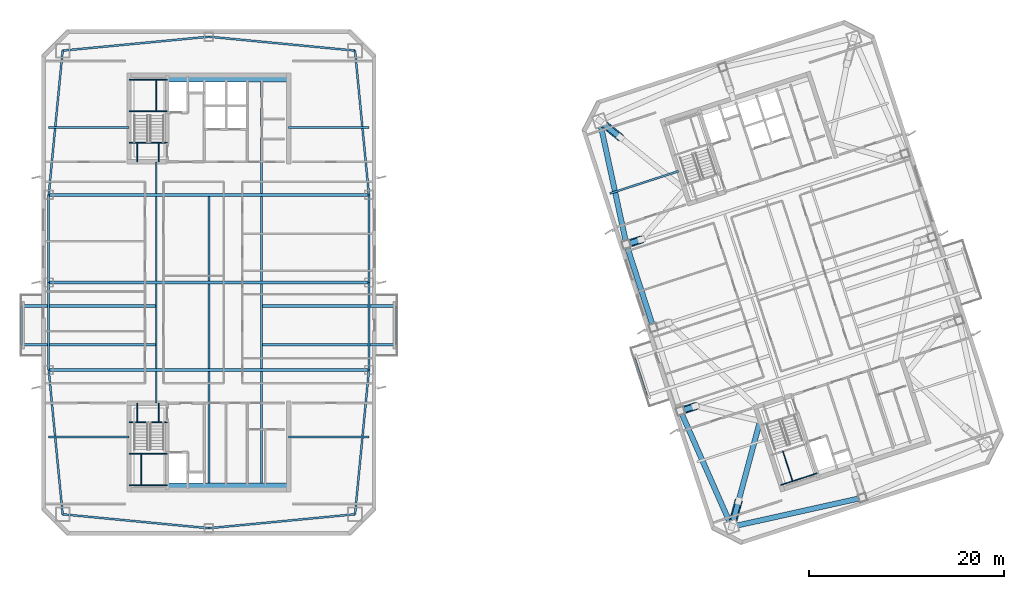
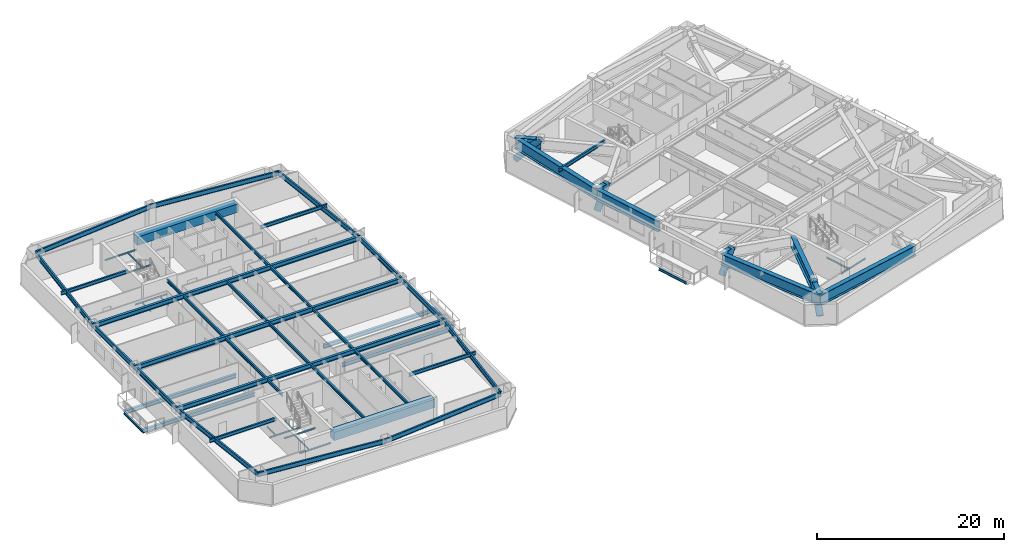
# One storey, part 3 of 18: 63 beams, 4 members.
"""IFC4 building model written with IfcOpenShell, lengths in metres."""

from ifc_helpers import new_model, si_unit, direction, frame, origin, origin_2d, place, context, subcontext, project, spatial, rectangle, hollow_circle, i_section, extrude, material, material_profile, profile_set, type_object, element, save


model = new_model("IFC4")

# Units and contexts
model_context = context("Model", 3, precision=1e-05, world=origin(), true_north=direction((0.0, 1.0)))
body_context = subcontext(model_context, "Body", "Model", "MODEL_VIEW")
ifc_project = project(units=[si_unit("LENGTHUNIT", "METRE"), si_unit("AREAUNIT", "SQUARE_METRE"), si_unit("VOLUMEUNIT", "CUBIC_METRE"), si_unit("PLANEANGLEUNIT", "RADIAN"), si_unit("MASSUNIT", "GRAM", prefix="KILO")], contexts=[model_context])

# Site, building, storey
site_placement = place(None, origin())
site = spatial("IfcSite", under=ifc_project, at=site_placement, CompositionType="ELEMENT")
building_placement = place(site_placement, origin())
building = spatial("IfcBuilding", under=site, at=building_placement, Name="Qiaolan Cultural Towers", CompositionType="ELEMENT")
storey_placement = place(building_placement, frame((0.0, 0.0, 195.5)))
storey = spatial("IfcBuildingStorey", under=building, at=storey_placement, Name="L52", CompositionType="ELEMENT", Elevation=195.5)

# Beams
ifc_material_1 = material(Name="Steel Q420GJB", Category="steel")
ifc_material_profile_1 = material_profile(ifc_material_1, i_section(OverallWidth=0.550048828125, OverallDepth=1.39990234375, WebThickness=0.031982421875, FlangeThickness=0.050048828125, at=origin_2d()), Name="BH1400x550x32x50")
ifc_profile_set_1 = profile_set([ifc_material_profile_1], Name="Steel Q420GJB")
beam_type_1 = type_object("IfcBeamType", Name="BM-BH1400x550x32x50", PredefinedType="BEAM", material=ifc_profile_set_1)
beam_1_placement = place(storey_placement, frame((83.71875, 8.900634765625, 2.530029296875), z_axis=(0.259697845523, 0.965689923853, 0.0), x_axis=(-0.965689923853, 0.259697845523, 0.0)))
element("IfcBeam", 1, at=beam_1_placement, inside=storey, type_object=beam_type_1, Name="L52 T2 Setback Transfer Girder MC-SW-A", PredefinedType="BEAM", context=body_context, shape_type="SweptSolid", body=[
    extrude(i_section(OverallWidth=0.550048828125, OverallDepth=1.39990234375, WebThickness=0.031982421875, FlangeThickness=0.050048828125, at=origin_2d()), origin(), (0.0, 0.0, 1.0), 2.73193359375),
])
beam_2_placement = place(storey_placement, frame((84.42822265625, 11.538818359375, 2.530029296875), z_axis=(0.259129218426, 0.965842662217, 0.0), x_axis=(-0.965842662217, 0.259129218426, 0.0)))
element("IfcBeam", 2, at=beam_2_placement, inside=storey, type_object=beam_type_1, Name="L52 T2 Setback Transfer Girder MC-SW-B", PredefinedType="BEAM", context=body_context, shape_type="SweptSolid", body=[
    extrude(i_section(OverallWidth=0.550048828125, OverallDepth=1.39990234375, WebThickness=0.031982421875, FlangeThickness=0.050048828125, at=origin_2d()), origin(), (0.0, 0.0, 1.0), 8.51513671875),
])
beam_3_placement = place(storey_placement, frame((70.165283203125, 50.61376953125, 2.530029296875), z_axis=(0.777737849615, -0.628588766425, 0.0), x_axis=(0.628588766425, 0.777737849615, 0.0)))
element("IfcBeam", 3, at=beam_3_placement, inside=storey, type_object=beam_type_1, Name="L52 T2 Setback Transfer Girder MC-NW-A", PredefinedType="BEAM", context=body_context, shape_type="SweptSolid", body=[
    extrude(i_section(OverallWidth=0.550048828125, OverallDepth=1.39990234375, WebThickness=0.031982421875, FlangeThickness=0.050048828125, at=origin_2d()), origin(), (0.0, 0.0, 1.0), 2.73193359375),
])
for number, where, z_axis, x_axis, name in (
    (4, (78.4677734375, 20.789794921875, 2.530029296875), (0.951066581729, 0.308986014439, 0.0), (-0.308986014439, 0.951066581729, 0.0), "L52 T2 Setback Transfer Girder PC-W1-A"),
    (5, (72.905517578125, 37.90869140625, 2.530029296875), (0.951021734043, 0.309124022649, 0.0), (-0.309124022649, 0.951021734043, 0.0), "L52 T2 Setback Transfer Girder PC-W3-A"),
):
    element("IfcBeam", number, at=place(storey_placement, frame(where, z_axis=z_axis, x_axis=x_axis)), inside=storey, type_object=beam_type_1, Name=name, PredefinedType="BEAM", context=body_context, shape_type="SweptSolid", body=[
        extrude(i_section(OverallWidth=0.550048828125, OverallDepth=1.39990234375, WebThickness=0.031982421875, FlangeThickness=0.050048828125, at=origin_2d()), origin(), (0.0, 0.0, 1.0), 1.60009765625),
    ])
beam_4_placement = place(storey_placement, frame((83.71875, 8.900634765625, 2.489990234375), z_axis=(0.976265293399, 0.216578108094, 0.0), x_axis=(-0.216578108094, 0.976265293399, 0.0)))
element("IfcBeam", 6, at=beam_4_placement, inside=storey, type_object=beam_type_1, Name="L52 T2 Perimeter Spandrel Beam 1", PredefinedType="BEAM", context=body_context, shape_type="SweptSolid", body=[
    extrude(i_section(OverallWidth=0.550048828125, OverallDepth=1.39990234375, WebThickness=0.031982421875, FlangeThickness=0.050048828125, at=origin_2d()), origin(), (0.0, 0.0, 1.0), 13.793212890625),
])
beam_5_placement = place(storey_placement, frame((70.165283203125, 50.61376953125, 2.489990234375), z_axis=(0.210832241173, -0.977522258612, 0.0), x_axis=(0.977522258612, 0.210832241173, 0.0)))
element("IfcBeam", 7, at=beam_5_placement, inside=storey, type_object=beam_type_1, Name="L52 T2 Perimeter Spandrel Beam 9", PredefinedType="BEAM", context=body_context, shape_type="SweptSolid", body=[
    extrude(i_section(OverallWidth=0.550048828125, OverallDepth=1.39990234375, WebThickness=0.031982421875, FlangeThickness=0.050048828125, at=origin_2d()), origin(), (0.0, 0.0, 1.0), 12.997314453125),
])
beam_6_placement = place(storey_placement, frame((72.905517578125, 37.90869140625, 2.489990234375), z_axis=(0.309008170129, -0.951059383421, 0.0), x_axis=(0.951059383421, 0.309008170129, 0.0)))
element("IfcBeam", 8, at=beam_6_placement, inside=storey, type_object=beam_type_1, Name="L52 T2 Perimeter Spandrel Beam 10", PredefinedType="BEAM", context=body_context, shape_type="SweptSolid", body=[
    extrude(i_section(OverallWidth=0.550048828125, OverallDepth=1.39990234375, WebThickness=0.031982421875, FlangeThickness=0.050048828125, at=origin_2d()), origin(), (0.0, 0.0, 1.0), 8.999755859375),
])
beam_7_placement = place(storey_placement, frame((78.4677734375, 20.789794921875, 2.489990234375), z_axis=(0.404011070002, -0.914754095545, 0.0), x_axis=(0.914754095545, 0.404011070002, 0.0)))
element("IfcBeam", 9, at=beam_7_placement, inside=storey, type_object=beam_type_1, Name="L52 T2 Perimeter Spandrel Beam 12", PredefinedType="BEAM", context=body_context, shape_type="SweptSolid", body=[
    extrude(i_section(OverallWidth=0.550048828125, OverallDepth=1.39990234375, WebThickness=0.031982421875, FlangeThickness=0.050048828125, at=origin_2d()), origin(), (0.0, 0.0, 1.0), 12.9970703125),
])
ifc_material_2 = material(Name="Steel Q355B", Category="steel")
ifc_material_profile_2 = material_profile(ifc_material_2, i_section(OverallWidth=0.300048828125, OverallDepth=0.488037109375, WebThickness=0.010986328125, FlangeThickness=0.01806640625, at=origin_2d()), Name="HM488x300x11x18")
ifc_profile_set_2 = profile_set([ifc_material_profile_2], Name="Steel Q355B")
beam_type_2 = type_object("IfcBeamType", Name="BM-HM488x300x11x18", PredefinedType="BEAM", material=ifc_profile_set_2)
for number, where, z_axis, x_axis, name in (
    (10, (24.60009765625, 27.60009765625, -0.52392578125), (-1.0, 0.0, 0.0), (0.0, -1.0, 0.0), "L52 T1 Tree Balcony Back-Spanned Bracket Beam"),
    (11, (24.60009765625, 31.60009765625, -0.52392578125), (-1.0, 0.0, 0.0), (0.0, -1.0, 0.0), "L52 T1 Tree Balcony Back-Spanned Bracket Beam"),
    (12, (35.39990234375, 27.60009765625, -0.52392578125), (1.0, 0.0, 0.0), (0.0, 1.0, 0.0), "L52 T1 Tree Balcony Back-Spanned Bracket Beam"),
    (13, (35.39990234375, 31.60009765625, -0.52392578125), (1.0, 0.0, 0.0), (0.0, 1.0, 0.0), "L52 T1 Tree Balcony Back-Spanned Bracket Beam"),
):
    element("IfcBeam", number, at=place(storey_placement, frame(where, z_axis=z_axis, x_axis=x_axis)), inside=storey, type_object=beam_type_2, Name=name, PredefinedType="BEAM", context=body_context, shape_type="SweptSolid", body=[
        extrude(i_section(OverallWidth=0.300048828125, OverallDepth=0.488037109375, WebThickness=0.010986328125, FlangeThickness=0.01806640625, at=origin_2d()), origin(), (0.0, 0.0, 1.0), 13.85009765625),
    ])
ifc_material_3 = material(Name="Steel Q355B", Category="steel")
ifc_material_profile_3 = material_profile(ifc_material_3, i_section(OverallWidth=0.300048828125, OverallDepth=0.587890625, WebThickness=0.011962890625, FlangeThickness=0.02001953125, at=origin_2d()), Name="HM588x300x12x20")
ifc_profile_set_3 = profile_set([ifc_material_profile_3], Name="Steel Q355B")
beam_type_3 = type_object("IfcBeamType", Name="BM-HM588x300x12x20", PredefinedType="BEAM", material=ifc_profile_set_3)
for number, where, z_axis, x_axis, name in (
    (14, (13.550048828125, 25.0, 2.89599609375), (1.0, 0.0, 0.0), (0.0, 1.0, 0.0), "L52 T1 Primary Transverse Girder V1"),
    (15, (13.550048828125, 34.0, 2.89599609375), (1.0, 0.0, 0.0), (0.0, 1.0, 0.0), "L52 T1 Primary Transverse Girder V2"),
    (16, (13.550048828125, 43.0, 2.89599609375), (1.0, 0.0, 0.0), (0.0, 1.0, 0.0), "L52 T1 Primary Transverse Girder V3"),
):
    element("IfcBeam", number, at=place(storey_placement, frame(where, z_axis=z_axis, x_axis=x_axis)), inside=storey, type_object=beam_type_3, Name=name, PredefinedType="BEAM", context=body_context, shape_type="SweptSolid", body=[
        extrude(i_section(OverallWidth=0.300048828125, OverallDepth=0.587890625, WebThickness=0.011962890625, FlangeThickness=0.02001953125, at=origin_2d()), origin(), (0.0, 0.0, 1.0), 32.89990234375),
    ])
ifc_material_4 = material(Name="Steel Q355B", Category="steel")
ifc_material_profile_4 = material_profile(ifc_material_4, i_section(OverallWidth=0.175048828125, OverallDepth=0.35009765625, WebThickness=0.007080078125, FlangeThickness=0.010986328125, at=origin_2d()), Name="HN350x175x7x11")
ifc_profile_set_4 = profile_set([ifc_material_profile_4], Name="Steel Q355B")
beam_type_4 = type_object("IfcBeamType", Name="BM-JST-HN350x175x7x11", PredefinedType="JOIST", material=ifc_profile_set_4)
for number, where, z_axis, x_axis, name in (
    (17, (10.75, 27.60009765625, -0.52392578125), (0.0, 1.0, 0.0), (-1.0, 0.0, 0.0), "L52 T1 Tree Balcony Outer Edge Beam"),
    (18, (49.25, 27.60009765625, -0.52392578125), (0.0, 1.0, 0.0), (-1.0, 0.0, 0.0), "L52 T1 Tree Balcony Outer Edge Beam"),
    (19, (75.00146484375, 22.397216796875, -0.52392578125), (-0.309022586479, 0.951054699292, 0.0), (-0.951054699292, -0.309022586479, 0.0), "L52 T2 Tree Balcony Outer Edge Beam"),
):
    element("IfcBeam", number, at=place(storey_placement, frame(where, z_axis=z_axis, x_axis=x_axis)), inside=storey, type_object=beam_type_4, Name=name, PredefinedType="JOIST", context=body_context, shape_type="SweptSolid", body=[
        extrude(i_section(OverallWidth=0.175048828125, OverallDepth=0.35009765625, WebThickness=0.007080078125, FlangeThickness=0.010986328125, at=origin_2d()), origin(), (0.0, 0.0, 1.0), 4.0),
    ])
ifc_material_5 = material(Name="Steel Q355B", Category="steel")
ifc_material_profile_5 = material_profile(ifc_material_5, i_section(OverallWidth=0.199951171875, OverallDepth=0.39990234375, WebThickness=0.008056640625, FlangeThickness=0.012939453125, at=origin_2d()), Name="HN400x200x8x13")
ifc_profile_set_5 = profile_set([ifc_material_profile_5], Name="Steel Q355B")
beam_type_5 = type_object("IfcBeamType", Name="BM-JST-HN400x200x8x13", PredefinedType="JOIST", material=ifc_profile_set_5)
beam_8_placement = place(storey_placement, frame((24.60009765625, 21.60009765625, 2.989990234375), z_axis=(0.0, 1.0, 0.0), x_axis=(-1.0, 0.0, 0.0)))
element("IfcBeam", 20, at=beam_8_placement, inside=storey, type_object=beam_type_5, Name="L52 T1 Secondary Floor Joist U1-1", PredefinedType="JOIST", context=body_context, shape_type="SweptSolid", body=[
    extrude(i_section(OverallWidth=0.199951171875, OverallDepth=0.39990234375, WebThickness=0.008056640625, FlangeThickness=0.012939453125, at=origin_2d()), origin(), (0.0, 0.0, 1.0), 3.25),
])
for number, where, z_axis, x_axis, name in (
    (21, (24.60009765625, 25.14990234375, 2.989990234375), (0.0, 1.0, 0.0), (-1.0, 0.0, 0.0), "L52 T1 Secondary Floor Joist U1-2"),
    (22, (24.60009765625, 34.14990234375, 2.989990234375), (0.0, 1.0, 0.0), (-1.0, 0.0, 0.0), "L52 T1 Secondary Floor Joist U1-3"),
):
    element("IfcBeam", number, at=place(storey_placement, frame(where, z_axis=z_axis, x_axis=x_axis)), inside=storey, type_object=beam_type_5, Name=name, PredefinedType="JOIST", context=body_context, shape_type="SweptSolid", body=[
        extrude(i_section(OverallWidth=0.199951171875, OverallDepth=0.39990234375, WebThickness=0.008056640625, FlangeThickness=0.012939453125, at=origin_2d()), origin(), (0.0, 0.0, 1.0), 8.7001953125),
    ])
beam_9_placement = place(storey_placement, frame((24.60009765625, 43.14990234375, 2.989990234375), z_axis=(0.0, 1.0, 0.0), x_axis=(-1.0, 0.0, 0.0)))
element("IfcBeam", 23, at=beam_9_placement, inside=storey, type_object=beam_type_5, Name="L52 T1 Secondary Floor Joist U1-4", PredefinedType="JOIST", context=body_context, shape_type="SweptSolid", body=[
    extrude(i_section(OverallWidth=0.199951171875, OverallDepth=0.39990234375, WebThickness=0.008056640625, FlangeThickness=0.012939453125, at=origin_2d()), origin(), (0.0, 0.0, 1.0), 3.25),
])
beam_10_placement = place(storey_placement, frame((30.0, 13.39990234375, 2.989990234375), z_axis=(0.0, 1.0, 0.0), x_axis=(-1.0, 0.0, 0.0)))
element("IfcBeam", 24, at=beam_10_placement, inside=storey, type_object=beam_type_5, Name="L52 T1 Secondary Floor Joist U2-1", PredefinedType="JOIST", context=body_context, shape_type="SweptSolid", body=[
    extrude(i_section(OverallWidth=0.199951171875, OverallDepth=0.39990234375, WebThickness=0.008056640625, FlangeThickness=0.012939453125, at=origin_2d()), origin(), (0.0, 0.0, 1.0), 11.4501953125),
])
for number, where, z_axis, x_axis, name in (
    (25, (30.0, 25.14990234375, 2.989990234375), (0.0, 1.0, 0.0), (-1.0, 0.0, 0.0), "L52 T1 Secondary Floor Joist U2-2"),
    (26, (30.0, 34.14990234375, 2.989990234375), (0.0, 1.0, 0.0), (-1.0, 0.0, 0.0), "L52 T1 Secondary Floor Joist U2-3"),
):
    element("IfcBeam", number, at=place(storey_placement, frame(where, z_axis=z_axis, x_axis=x_axis)), inside=storey, type_object=beam_type_5, Name=name, PredefinedType="JOIST", context=body_context, shape_type="SweptSolid", body=[
        extrude(i_section(OverallWidth=0.199951171875, OverallDepth=0.39990234375, WebThickness=0.008056640625, FlangeThickness=0.012939453125, at=origin_2d()), origin(), (0.0, 0.0, 1.0), 8.7001953125),
    ])
beam_11_placement = place(storey_placement, frame((35.39990234375, 13.39990234375, 2.989990234375), z_axis=(0.0, 1.0, 0.0), x_axis=(-1.0, 0.0, 0.0)))
element("IfcBeam", 27, at=beam_11_placement, inside=storey, type_object=beam_type_5, Name="L52 T1 Secondary Floor Joist U3-1", PredefinedType="JOIST", context=body_context, shape_type="SweptSolid", body=[
    extrude(i_section(OverallWidth=0.199951171875, OverallDepth=0.39990234375, WebThickness=0.008056640625, FlangeThickness=0.012939453125, at=origin_2d()), origin(), (0.0, 0.0, 1.0), 11.4501953125),
])
for number, where, z_axis, x_axis, name in (
    (28, (35.39990234375, 25.14990234375, 2.989990234375), (0.0, 1.0, 0.0), (-1.0, 0.0, 0.0), "L52 T1 Secondary Floor Joist U3-2"),
    (29, (35.39990234375, 34.14990234375, 2.989990234375), (0.0, 1.0, 0.0), (-1.0, 0.0, 0.0), "L52 T1 Secondary Floor Joist U3-3"),
):
    element("IfcBeam", number, at=place(storey_placement, frame(where, z_axis=z_axis, x_axis=x_axis)), inside=storey, type_object=beam_type_5, Name=name, PredefinedType="JOIST", context=body_context, shape_type="SweptSolid", body=[
        extrude(i_section(OverallWidth=0.199951171875, OverallDepth=0.39990234375, WebThickness=0.008056640625, FlangeThickness=0.012939453125, at=origin_2d()), origin(), (0.0, 0.0, 1.0), 8.7001953125),
    ])
beam_12_placement = place(storey_placement, frame((35.39990234375, 43.14990234375, 2.989990234375), z_axis=(0.0, 1.0, 0.0), x_axis=(-1.0, 0.0, 0.0)))
element("IfcBeam", 30, at=beam_12_placement, inside=storey, type_object=beam_type_5, Name="L52 T1 Secondary Floor Joist U3-4", PredefinedType="JOIST", context=body_context, shape_type="SweptSolid", body=[
    extrude(i_section(OverallWidth=0.199951171875, OverallDepth=0.39990234375, WebThickness=0.008056640625, FlangeThickness=0.012939453125, at=origin_2d()), origin(), (0.0, 0.0, 1.0), 11.4501953125),
])
ifc_material_6 = material(Name="Steel Q355B", Category="steel")
ifc_material_profile_6 = material_profile(ifc_material_6, i_section(OverallWidth=0.199951171875, OverallDepth=0.449951171875, WebThickness=0.009033203125, FlangeThickness=0.013916015625, at=origin_2d()), Name="HN450x200x9x14")
ifc_profile_set_6 = profile_set([ifc_material_profile_6], Name="Steel Q355B")
beam_type_6 = type_object("IfcBeamType", Name="BM-LNT-HN450x200x9x14", PredefinedType="LINTEL", material=ifc_profile_set_6)
for number, where, z_axis, x_axis, name in (
    (31, (21.800048828125, 18.10009765625, 2.965087890625), (-1.0, 0.0, 0.0), (0.0, -1.0, 0.0), "L52 T1 Core Flank Tie Lintel WS"),
    (32, (21.800048828125, 49.89990234375, 2.965087890625), (-1.0, 0.0, 0.0), (0.0, -1.0, 0.0), "L52 T1 Core Flank Tie Lintel WN"),
    (33, (38.199951171875, 18.10009765625, 2.965087890625), (1.0, 0.0, 0.0), (0.0, 1.0, 0.0), "L52 T1 Core Flank Tie Lintel ES"),
    (34, (38.199951171875, 49.89990234375, 2.965087890625), (1.0, 0.0, 0.0), (0.0, 1.0, 0.0), "L52 T1 Core Flank Tie Lintel EN"),
):
    element("IfcBeam", number, at=place(storey_placement, frame(where, z_axis=z_axis, x_axis=x_axis)), inside=storey, type_object=beam_type_6, Name=name, PredefinedType="LINTEL", context=body_context, shape_type="SweptSolid", body=[
        extrude(i_section(OverallWidth=0.199951171875, OverallDepth=0.449951171875, WebThickness=0.009033203125, FlangeThickness=0.013916015625, at=origin_2d()), origin(), (0.0, 0.0, 1.0), 8.25),
    ])
beam_13_placement = place(storey_placement, frame((78.291259765625, 45.44189453125, 2.965087890625), z_axis=(-0.951054777171, -0.309022346796, 0.0), x_axis=(0.309022346796, -0.951054777171, 0.0)))
element("IfcBeam", 35, at=beam_13_placement, inside=storey, type_object=beam_type_6, Name="L52 T2 Core Flank Tie Lintel WN", PredefinedType="LINTEL", context=body_context, shape_type="SweptSolid", body=[
    extrude(i_section(OverallWidth=0.199951171875, OverallDepth=0.449951171875, WebThickness=0.009033203125, FlangeThickness=0.013916015625, at=origin_2d()), origin(), (0.0, 0.0, 1.0), 7.4501953125),
])
ifc_material_7 = material(Name="Concrete C50", Category="concrete")
ifc_material_profile_7 = material_profile(ifc_material_7, rectangle(XDim=0.89990234375, YDim=1.10009765625, at=origin_2d()), Name="RC900x1100")
ifc_profile_set_7 = profile_set([ifc_material_profile_7], Name="Concrete C50")
beam_type_7 = type_object("IfcBeamType", Name="BM-RC900x1100", PredefinedType="BEAM", material=ifc_profile_set_7)
for number, where, z_axis, x_axis, name in (
    (36, (25.719970703125, 12.949951171875, 2.639892578125), (1.0, 0.0, 0.0), (0.0, 1.0, 0.0), "L52 T1 Core Header Girder S"),
    (37, (25.719970703125, 55.050048828125, 2.639892578125), (1.0, 0.0, 0.0), (0.0, 1.0, 0.0), "L52 T1 Core Header Girder N"),
):
    element("IfcBeam", number, at=place(storey_placement, frame(where, z_axis=z_axis, x_axis=x_axis)), inside=storey, type_object=beam_type_7, Name=name, PredefinedType="BEAM", context=body_context, shape_type="SweptSolid", body=[
        extrude(rectangle(XDim=0.89990234375, YDim=1.10009765625, at=origin_2d()), origin(), (0.0, 0.0, 1.0), 12.47998046875),
    ])
ifc_material_8 = material(Name="Steel Q355B", Category="steel")
ifc_material_profile_8 = material_profile(ifc_material_8, i_section(OverallWidth=0.199951171875, OverallDepth=0.60009765625, WebThickness=0.010986328125, FlangeThickness=0.01708984375, at=origin_2d()), Name="HN600x200x11x17")
ifc_profile_set_8 = profile_set([ifc_material_profile_8], Name="Steel Q355B")
beam_type_8 = type_object("IfcBeamType", Name="BM-SPD-HN600x200x11x17", PredefinedType="SPANDREL", material=ifc_profile_set_8)
for number, where, z_axis, x_axis, name in (
    (38, (14.97998046875, 10.179931640625, 2.889892578125), (0.995498889995, -0.094773203061, 0.0), (0.094773203061, 0.995498889995, 0.0), "L52 T1 Perimeter Spandrel Beam 1"),
    (39, (30.0, 8.75, 2.889892578125), (0.995498889995, 0.094773203061, 0.0), (-0.094773203061, 0.995498889995, 0.0), "L52 T1 Perimeter Spandrel Beam 2"),
):
    element("IfcBeam", number, at=place(storey_placement, frame(where, z_axis=z_axis, x_axis=x_axis)), inside=storey, type_object=beam_type_8, Name=name, PredefinedType="SPANDREL", context=body_context, shape_type="SweptSolid", body=[
        extrude(i_section(OverallWidth=0.199951171875, OverallDepth=0.60009765625, WebThickness=0.010986328125, FlangeThickness=0.01708984375, at=origin_2d()), origin(), (0.0, 0.0, 1.0), 15.087890625),
    ])
beam_14_placement = place(storey_placement, frame((45.02001953125, 10.179931640625, 2.889892578125), z_axis=(0.096040159186, 0.995377459974, 0.0), x_axis=(-0.995377459974, 0.096040159186, 0.0)))
element("IfcBeam", 40, at=beam_14_placement, inside=storey, type_object=beam_type_8, Name="L52 T1 Perimeter Spandrel Beam 3", PredefinedType="SPANDREL", context=body_context, shape_type="SweptSolid", body=[
    extrude(i_section(OverallWidth=0.199951171875, OverallDepth=0.60009765625, WebThickness=0.010986328125, FlangeThickness=0.01708984375, at=origin_2d()), origin(), (0.0, 0.0, 1.0), 14.888916015625),
])
for number, where, z_axis, x_axis, name in (
    (41, (46.449951171875, 25.0, 2.889892578125), (0.0, 1.0, 0.0), (-1.0, 0.0, 0.0), "L52 T1 Perimeter Spandrel Beam 4"),
    (42, (46.449951171875, 34.0, 2.889892578125), (0.0, 1.0, 0.0), (-1.0, 0.0, 0.0), "L52 T1 Perimeter Spandrel Beam 5"),
):
    element("IfcBeam", number, at=place(storey_placement, frame(where, z_axis=z_axis, x_axis=x_axis)), inside=storey, type_object=beam_type_8, Name=name, PredefinedType="SPANDREL", context=body_context, shape_type="SweptSolid", body=[
        extrude(i_section(OverallWidth=0.199951171875, OverallDepth=0.60009765625, WebThickness=0.010986328125, FlangeThickness=0.01708984375, at=origin_2d()), origin(), (0.0, 0.0, 1.0), 9.0),
    ])
beam_15_placement = place(storey_placement, frame((46.449951171875, 43.0, 2.889892578125), z_axis=(-0.096040159186, 0.995377459974, 0.0), x_axis=(-0.995377459974, -0.096040159186, 0.0)))
element("IfcBeam", 43, at=beam_15_placement, inside=storey, type_object=beam_type_8, Name="L52 T1 Perimeter Spandrel Beam 6", PredefinedType="SPANDREL", context=body_context, shape_type="SweptSolid", body=[
    extrude(i_section(OverallWidth=0.199951171875, OverallDepth=0.60009765625, WebThickness=0.010986328125, FlangeThickness=0.01708984375, at=origin_2d()), origin(), (0.0, 0.0, 1.0), 14.888916015625),
])
for number, where, z_axis, x_axis, name in (
    (44, (45.02001953125, 57.820068359375, 2.889892578125), (-0.995498889995, 0.094773203061, 0.0), (-0.094773203061, -0.995498889995, 0.0), "L52 T1 Perimeter Spandrel Beam 7"),
    (45, (30.0, 59.25, 2.889892578125), (-0.995498889995, -0.094773203061, 0.0), (0.094773203061, -0.995498889995, 0.0), "L52 T1 Perimeter Spandrel Beam 8"),
):
    element("IfcBeam", number, at=place(storey_placement, frame(where, z_axis=z_axis, x_axis=x_axis)), inside=storey, type_object=beam_type_8, Name=name, PredefinedType="SPANDREL", context=body_context, shape_type="SweptSolid", body=[
        extrude(i_section(OverallWidth=0.199951171875, OverallDepth=0.60009765625, WebThickness=0.010986328125, FlangeThickness=0.01708984375, at=origin_2d()), origin(), (0.0, 0.0, 1.0), 15.087890625),
    ])
beam_16_placement = place(storey_placement, frame((14.97998046875, 57.820068359375, 2.889892578125), z_axis=(-0.096040159186, -0.995377459974, 0.0), x_axis=(0.995377459974, -0.096040159186, 0.0)))
element("IfcBeam", 46, at=beam_16_placement, inside=storey, type_object=beam_type_8, Name="L52 T1 Perimeter Spandrel Beam 9", PredefinedType="SPANDREL", context=body_context, shape_type="SweptSolid", body=[
    extrude(i_section(OverallWidth=0.199951171875, OverallDepth=0.60009765625, WebThickness=0.010986328125, FlangeThickness=0.01708984375, at=origin_2d()), origin(), (0.0, 0.0, 1.0), 14.888916015625),
])
for number, where, z_axis, x_axis, name in (
    (47, (13.550048828125, 43.0, 2.889892578125), (0.0, -1.0, 0.0), (1.0, 0.0, 0.0), "L52 T1 Perimeter Spandrel Beam 10"),
    (48, (13.550048828125, 34.0, 2.889892578125), (0.0, -1.0, 0.0), (1.0, 0.0, 0.0), "L52 T1 Perimeter Spandrel Beam 11"),
):
    element("IfcBeam", number, at=place(storey_placement, frame(where, z_axis=z_axis, x_axis=x_axis)), inside=storey, type_object=beam_type_8, Name=name, PredefinedType="SPANDREL", context=body_context, shape_type="SweptSolid", body=[
        extrude(i_section(OverallWidth=0.199951171875, OverallDepth=0.60009765625, WebThickness=0.010986328125, FlangeThickness=0.01708984375, at=origin_2d()), origin(), (0.0, 0.0, 1.0), 9.0),
    ])
beam_17_placement = place(storey_placement, frame((13.550048828125, 25.0, 2.889892578125), z_axis=(0.096040159186, -0.995377459974, 0.0), x_axis=(0.995377459974, 0.096040159186, 0.0)))
element("IfcBeam", 49, at=beam_17_placement, inside=storey, type_object=beam_type_8, Name="L52 T1 Perimeter Spandrel Beam 12", PredefinedType="SPANDREL", context=body_context, shape_type="SweptSolid", body=[
    extrude(i_section(OverallWidth=0.199951171875, OverallDepth=0.60009765625, WebThickness=0.010986328125, FlangeThickness=0.01708984375, at=origin_2d()), origin(), (0.0, 0.0, 1.0), 14.888916015625),
])
ifc_material_9 = material(Name="Steel Q355B", Category="steel")
ifc_material_profile_9 = material_profile(ifc_material_9, i_section(OverallWidth=0.10009765625, OverallDepth=0.199951171875, WebThickness=0.005615234375, FlangeThickness=0.008056640625, at=origin_2d()), Name="HN200x100x5.5x8")
ifc_profile_set_9 = profile_set([ifc_material_profile_9], Name="Steel Q355B")
beam_type_9 = type_object("IfcBeamType", Name="BM-STTRIM-200", PredefinedType="BEAM", material=ifc_profile_set_9)
beam_18_placement = place(storey_placement, frame((21.800048828125, 19.659912109375, -0.4599609375), z_axis=(1.0, 0.0, 0.0), x_axis=(0.0, 1.0, 0.0)))
element("IfcBeam", 50, at=beam_18_placement, inside=storey, type_object=beam_type_9, Name="L52 ST-W1 Floor Landing Header Beam", PredefinedType="BEAM", context=body_context, shape_type="SweptSolid", body=[
    extrude(i_section(OverallWidth=0.10009765625, OverallDepth=0.199951171875, WebThickness=0.005615234375, FlangeThickness=0.008056640625, at=origin_2d()), origin(), (0.0, 0.0, 1.0), 3.919921875),
])
for number, where, z_axis, x_axis, name in (
    (51, (22.64990234375, 21.60009765625, -0.4599609375), (0.0, -1.0, 0.0), (1.0, 0.0, 0.0), "L52 ST-W1 Floor Landing Stringer 1"),
    (52, (24.85009765625, 21.60009765625, -0.4599609375), (0.0, -1.0, 0.0), (1.0, 0.0, 0.0), "L52 ST-W1 Floor Landing Stringer 2"),
):
    element("IfcBeam", number, at=place(storey_placement, frame(where, z_axis=z_axis, x_axis=x_axis)), inside=storey, type_object=beam_type_9, Name=name, PredefinedType="BEAM", context=body_context, shape_type="SweptSolid", body=[
        extrude(i_section(OverallWidth=0.10009765625, OverallDepth=0.199951171875, WebThickness=0.005615234375, FlangeThickness=0.008056640625, at=origin_2d()), origin(), (0.0, 0.0, 1.0), 1.940185546875),
    ])
for number, where, z_axis, x_axis, name in (
    (53, (21.800048828125, 16.411376953125, 1.425048828125), (1.0, 0.0, 0.0), (0.0, 1.0, 0.0), "L52 ST-W1 Stair Landing Support Beam 1-1"),
    (54, (21.800048828125, 13.179931640625, 1.425048828125), (1.0, 0.0, 0.0), (0.0, 1.0, 0.0), "L52 ST-W1 Stair Landing Support Beam 1-2"),
):
    element("IfcBeam", number, at=place(storey_placement, frame(where, z_axis=z_axis, x_axis=x_axis)), inside=storey, type_object=beam_type_9, Name=name, PredefinedType="BEAM", context=body_context, shape_type="SweptSolid", body=[
        extrude(i_section(OverallWidth=0.10009765625, OverallDepth=0.199951171875, WebThickness=0.005615234375, FlangeThickness=0.008056640625, at=origin_2d()), origin(), (0.0, 0.0, 1.0), 3.919921875),
    ])
beam_19_placement = place(storey_placement, frame((23.070068359375, 16.411376953125, 1.425048828125), z_axis=(0.0, -1.0, 0.0), x_axis=(1.0, 0.0, 0.0)))
element("IfcBeam", 55, at=beam_19_placement, inside=storey, type_object=beam_type_9, Name="L52 ST-W1 Stair Landing Trimmer 1", PredefinedType="BEAM", context=body_context, shape_type="SweptSolid", body=[
    extrude(i_section(OverallWidth=0.10009765625, OverallDepth=0.199951171875, WebThickness=0.005615234375, FlangeThickness=0.008056640625, at=origin_2d()), origin(), (0.0, 0.0, 1.0), 3.2314453125),
])
beam_20_placement = place(storey_placement, frame((21.800048828125, 48.340087890625, -0.4599609375), z_axis=(1.0, 0.0, 0.0), x_axis=(0.0, 1.0, 0.0)))
element("IfcBeam", 56, at=beam_20_placement, inside=storey, type_object=beam_type_9, Name="L52 ST-W2 Floor Landing Header Beam", PredefinedType="BEAM", context=body_context, shape_type="SweptSolid", body=[
    extrude(i_section(OverallWidth=0.10009765625, OverallDepth=0.199951171875, WebThickness=0.005615234375, FlangeThickness=0.008056640625, at=origin_2d()), origin(), (0.0, 0.0, 1.0), 3.919921875),
])
for number, where, z_axis, x_axis, name in (
    (57, (22.64990234375, 46.39990234375, -0.4599609375), (0.0, 1.0, 0.0), (-1.0, 0.0, 0.0), "L52 ST-W2 Floor Landing Stringer 1"),
    (58, (24.85009765625, 46.39990234375, -0.4599609375), (0.0, 1.0, 0.0), (-1.0, 0.0, 0.0), "L52 ST-W2 Floor Landing Stringer 2"),
):
    element("IfcBeam", number, at=place(storey_placement, frame(where, z_axis=z_axis, x_axis=x_axis)), inside=storey, type_object=beam_type_9, Name=name, PredefinedType="BEAM", context=body_context, shape_type="SweptSolid", body=[
        extrude(i_section(OverallWidth=0.10009765625, OverallDepth=0.199951171875, WebThickness=0.005615234375, FlangeThickness=0.008056640625, at=origin_2d()), origin(), (0.0, 0.0, 1.0), 1.940185546875),
    ])
for number, where, z_axis, x_axis, name in (
    (59, (21.800048828125, 51.588623046875, 1.425048828125), (1.0, 0.0, 0.0), (0.0, 1.0, 0.0), "L52 ST-W2 Stair Landing Support Beam 1-1"),
    (60, (21.800048828125, 54.820068359375, 1.425048828125), (1.0, 0.0, 0.0), (0.0, 1.0, 0.0), "L52 ST-W2 Stair Landing Support Beam 1-2"),
):
    element("IfcBeam", number, at=place(storey_placement, frame(where, z_axis=z_axis, x_axis=x_axis)), inside=storey, type_object=beam_type_9, Name=name, PredefinedType="BEAM", context=body_context, shape_type="SweptSolid", body=[
        extrude(i_section(OverallWidth=0.10009765625, OverallDepth=0.199951171875, WebThickness=0.005615234375, FlangeThickness=0.008056640625, at=origin_2d()), origin(), (0.0, 0.0, 1.0), 3.919921875),
    ])
beam_21_placement = place(storey_placement, frame((24.610107421875, 51.588623046875, 1.425048828125), z_axis=(0.0, 1.0, 0.0), x_axis=(-1.0, 0.0, 0.0)))
element("IfcBeam", 61, at=beam_21_placement, inside=storey, type_object=beam_type_9, Name="L52 ST-W2 Stair Landing Trimmer 1", PredefinedType="BEAM", context=body_context, shape_type="SweptSolid", body=[
    extrude(i_section(OverallWidth=0.10009765625, OverallDepth=0.199951171875, WebThickness=0.005615234375, FlangeThickness=0.008056640625, at=origin_2d()), origin(), (0.0, 0.0, 1.0), 3.2314453125),
])
beam_22_placement = place(storey_placement, frame((88.773193359375, 13.181884765625, 1.425048828125), z_axis=(0.951047798727, 0.309043823005, 0.0), x_axis=(-0.309043823005, 0.951047798727, 0.0)))
element("IfcBeam", 62, at=beam_22_placement, inside=storey, type_object=beam_type_9, Name="L52 ST-E1 Stair Landing Support Beam 1-2", PredefinedType="BEAM", context=body_context, shape_type="SweptSolid", body=[
    extrude(i_section(OverallWidth=0.10009765625, OverallDepth=0.199951171875, WebThickness=0.005615234375, FlangeThickness=0.008056640625, at=origin_2d()), origin(), (0.0, 0.0, 1.0), 3.919921875),
])
beam_23_placement = place(storey_placement, frame((88.982421875, 16.6474609375, 1.425048828125), z_axis=(0.309033108495, -0.951051280349, 0.0), x_axis=(0.951051280349, 0.309033108495, 0.0)))
element("IfcBeam", 63, at=beam_23_placement, inside=storey, type_object=beam_type_9, Name="L52 ST-E1 Stair Landing Trimmer 1", PredefinedType="BEAM", context=body_context, shape_type="SweptSolid", body=[
    extrude(i_section(OverallWidth=0.10009765625, OverallDepth=0.199951171875, WebThickness=0.005615234375, FlangeThickness=0.008056640625, at=origin_2d()), origin(), (0.0, 0.0, 1.0), 3.231201171875),
])

# Members
ifc_material_10 = material(Name="Steel Q390GJB", Category="steel")
ifc_material_profile_10 = material_profile(ifc_material_10, hollow_circle(Radius=0.39990234375, WallThickness=0.0400390625, at=origin_2d()), Name="CHS800x40")
ifc_profile_set_10 = profile_set([ifc_material_profile_10], Name="Steel Q390GJB")
member_type = type_object("IfcMemberType", Name="MBR-BRC-CHS800x40", PredefinedType="BRACE", material=ifc_profile_set_10)
member_1_placement = place(storey_placement, frame((83.71875, 8.900634765625, 0.300048828125), z_axis=(0.177103461903, 0.658561599904, 0.731389761286), x_axis=(-0.965689923853, 0.259697845523, 0.0)))
element("IfcMember", 64, at=member_1_placement, inside=storey, type_object=member_type, Name="L52 T2 Setback Transfer Raker Strut MC-SW", PredefinedType="BRACE", context=body_context, shape_type="SweptSolid", body=[
    extrude(hollow_circle(Radius=0.39990234375, WallThickness=0.0400390625, at=origin_2d()), origin(), (0.0, 0.0, 1.0), 4.005859375),
])
member_2_placement = place(storey_placement, frame((70.165283203125, 50.61376953125, 0.300048828125), z_axis=(0.53039140518, -0.42867667977, 0.731383115428), x_axis=(0.628588766425, 0.777737849615, 0.0)))
element("IfcMember", 65, at=member_2_placement, inside=storey, type_object=member_type, Name="L52 T2 Setback Transfer Raker Strut MC-NW", PredefinedType="BRACE", context=body_context, shape_type="SweptSolid", body=[
    extrude(hollow_circle(Radius=0.39990234375, WallThickness=0.0400390625, at=origin_2d()), origin(), (0.0, 0.0, 1.0), 4.006103515625),
])
for number, where, z_axis, x_axis, name in (
    (66, (78.4677734375, 20.789794921875, 0.300048828125), (0.455832676681, 0.148092599114, 0.877658904676), (-0.308986014439, 0.951066581729, 0.0), "L52 T2 Setback Transfer Raker Strut PC-W1"),
    (67, (72.905517578125, 37.90869140625, 0.300048828125), (0.455827738724, 0.148164126208, 0.877649397148), (-0.309124022649, 0.951021734043, 0.0), "L52 T2 Setback Transfer Raker Strut PC-W3"),
):
    element("IfcMember", number, at=place(storey_placement, frame(where, z_axis=z_axis, x_axis=x_axis)), inside=storey, type_object=member_type, Name=name, PredefinedType="BRACE", context=body_context, shape_type="SweptSolid", body=[
        extrude(hollow_circle(Radius=0.39990234375, WallThickness=0.0400390625, at=origin_2d()), origin(), (0.0, 0.0, 1.0), 3.33837890625),
    ])

save(model, "model.ifc")
